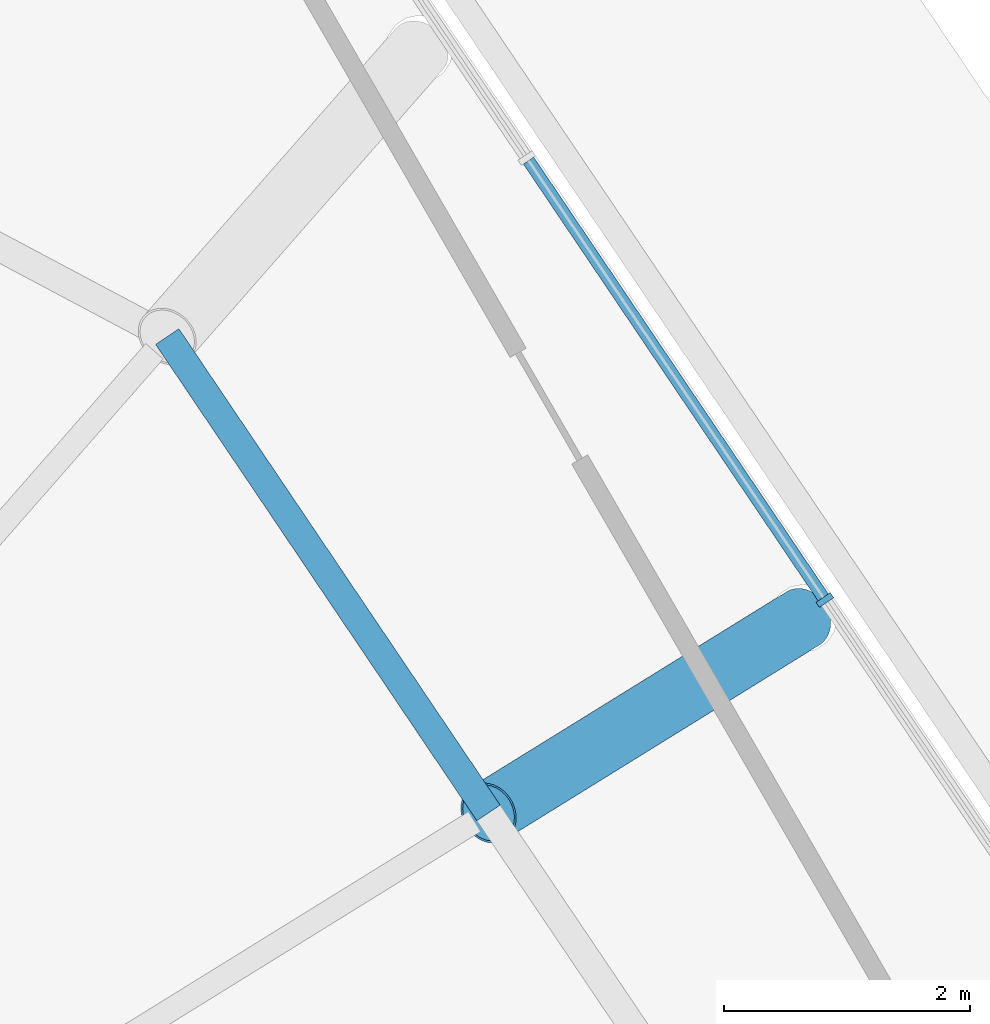
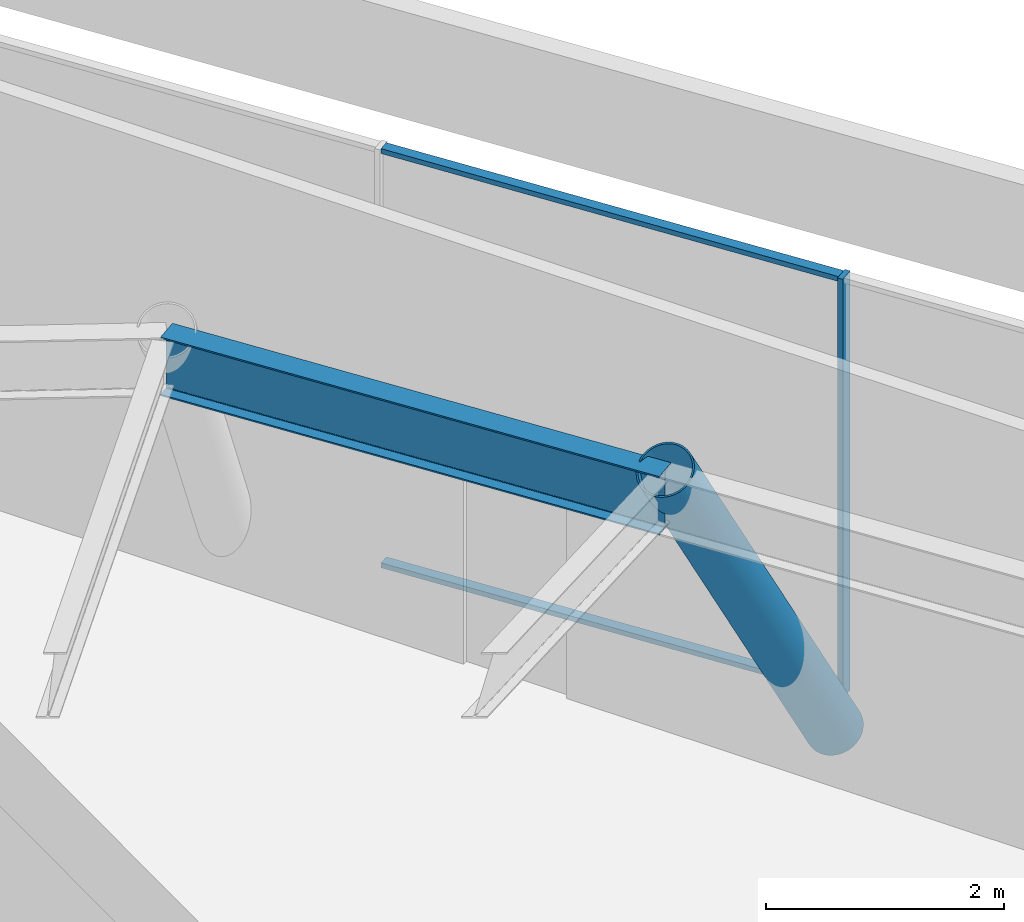
# One storey, part 6 of 12: 4 members, 1 beam, 1 element without a shape of its own.
"""IFC4 building model written with IfcOpenShell, lengths in metres."""

from ifc_helpers import new_model, si_unit, direction, frame, origin, origin_2d, place, context, subcontext, project, spatial, rectangle, hollow_circle, i_section, extrude, material, material_profile, profile_set, type_object, element, aggregate, save


model = new_model("IFC4")

# Units and contexts
model_context = context("Model", 3, precision=1e-05, world=origin(), true_north=direction((0.0, 1.0)))
body_context = subcontext(model_context, "Body", "Model", "MODEL_VIEW")
ifc_project = project(units=[si_unit("LENGTHUNIT", "METRE"), si_unit("AREAUNIT", "SQUARE_METRE"), si_unit("VOLUMEUNIT", "CUBIC_METRE"), si_unit("PLANEANGLEUNIT", "RADIAN"), si_unit("MASSUNIT", "GRAM", prefix="KILO")], contexts=[model_context])

# Site, building, storey
site_placement = place(None, origin())
site = spatial("IfcSite", under=ifc_project, at=site_placement, CompositionType="ELEMENT")
building_placement = place(site_placement, origin())
building = spatial("IfcBuilding", under=site, at=building_placement, Name="Tarnside Tower", CompositionType="ELEMENT")
storey_placement = place(building_placement, frame((0.0, 0.0, 392.699951171875)))
storey = spatial("IfcBuildingStorey", under=building, at=storey_placement, Name="L93", CompositionType="ELEMENT", Elevation=392.699951171875)

# Curtain wall, members
ifc_material_1 = material(Name="Crown glazing wall", Category="glass")
curtain_wall_type = type_object("IfcCurtainWallType", Name="Crown glazing wall", PredefinedType="NOTDEFINED", material=ifc_material_1)
curtain_wall_placement = place(storey_placement, origin())
curtain_wall = element("IfcCurtainWall", 1, at=curtain_wall_placement, inside=storey, type_object=curtain_wall_type, Name="Crown glazing L93 04", PredefinedType="NOTDEFINED")
ifc_material_2 = material(Name="Aluminium alloy 6063", Category="aluminium")
ifc_material_profile_1 = material_profile(ifc_material_2, rectangle(XDim=0.139892578125, YDim=0.050048828125, at=origin_2d()), Name="Crown glazing mullion 50 x 140")
ifc_profile_set_1 = profile_set([ifc_material_profile_1], Name="Aluminium alloy 6063")
member_type_1 = type_object("IfcMemberType", Name="Crown glazing mullion 50 x 140", PredefinedType="MULLION", material=ifc_profile_set_1)
member_1_placement = place(storey_placement, frame((15.8349609375, 9.839599609375, 0.0), z_axis=(0.0, 0.0, 1.0), x_axis=(0.829037572565, 0.559192903456, 0.0)))
member_1 = element("IfcMember", 2, at=member_1_placement, type_object=member_type_1, Name="CW6 mullion 3", PredefinedType="MULLION", context=body_context, shape_type="SweptSolid", body=[
    extrude(rectangle(XDim=0.139892578125, YDim=0.050048828125, at=origin_2d()), origin(), (0.0, 0.0, 1.0), 4.300048828125),
])
ifc_material_profile_2 = material_profile(ifc_material_2, rectangle(XDim=0.10009765625, YDim=0.050048828125, at=origin_2d()), Name="Crown glazing transom 50 x 100")
ifc_profile_set_2 = profile_set([ifc_material_profile_2], Name="Aluminium alloy 6063")
member_type_2 = type_object("IfcMemberType", Name="Crown glazing transom 50 x 100", PredefinedType="USERDEFINED", material=ifc_profile_set_2)
member_2_placement = place(storey_placement, frame((13.428955078125, 13.406494140625, 0.025146484375), z_axis=(0.559222865154, -0.829017362356, 0.0), x_axis=(0.829017362356, 0.559222865154, 0.0)))
member_2 = element("IfcMember", 3, at=member_2_placement, type_object=member_type_2, Name="CW6 transom 2.1", ObjectType="TRANSOM", PredefinedType="USERDEFINED", context=body_context, shape_type="SweptSolid", body=[
    extrude(rectangle(XDim=0.10009765625, YDim=0.050048828125, at=origin_2d()), origin(), (0.0, 0.0, 1.0), 4.277587890625),
])
member_3_placement = place(storey_placement, frame((13.428955078125, 13.406494140625, 4.275146484375), z_axis=(0.559222865154, -0.829017362356, 0.0), x_axis=(0.829017362356, 0.559222865154, 0.0)))
member_3 = element("IfcMember", 4, at=member_3_placement, type_object=member_type_2, Name="CW6 transom 2.2", ObjectType="TRANSOM", PredefinedType="USERDEFINED", context=body_context, shape_type="SweptSolid", body=[
    extrude(rectangle(XDim=0.10009765625, YDim=0.050048828125, at=origin_2d()), origin(), (0.0, 0.0, 1.0), 4.277587890625),
])
aggregate(curtain_wall, [member_1, member_2, member_3])

# Beam
ifc_material_3 = material(Name="Steel S355", Category="steel")
ifc_material_profile_3 = material_profile(ifc_material_3, i_section(OverallWidth=0.2275390625, OverallDepth=0.6025390625, WebThickness=0.010498046875, FlangeThickness=0.014892578125, FilletRadius=0.0126953125, at=origin_2d()), Name="UB 610x229x101")
ifc_profile_set_3 = profile_set([ifc_material_profile_3], Name="Steel S355")
beam_type = type_object("IfcBeamType", Name="Floor beam UB 610x229x101", PredefinedType="BEAM", material=ifc_profile_set_3)
beam_placement = place(storey_placement, frame((13.1044921875, 8.111328125, 3.998779296875), z_axis=(-0.559186017697, 0.829042217026, 0.0), x_axis=(-0.829042217026, -0.559186017697, 0.0)))
element("IfcBeam", 5, at=beam_placement, inside=storey, type_object=beam_type, Name="Floor beam R17", PredefinedType="BEAM", context=body_context, shape_type="SweptSolid", body=[
    extrude(i_section(OverallWidth=0.2275390625, OverallDepth=0.6025390625, WebThickness=0.010498046875, FlangeThickness=0.014892578125, FilletRadius=0.0126953125, at=origin_2d()), origin(), (0.0, 0.0, 1.0), 4.663818359375),
])

# Member
ifc_material_profile_4 = material_profile(ifc_material_3, hollow_circle(Radius=0.25390625, WallThickness=0.01611328125, at=origin_2d()), Name="CHS 508x16")
ifc_profile_set_4 = profile_set([ifc_material_profile_4], Name="Steel S355")
member_type_3 = type_object("IfcMemberType", Name="Truss diagonal CHS 508x16", PredefinedType="BRACE", material=ifc_profile_set_4)
member_4_placement = place(storey_placement, frame((15.657470703125, 9.69140625, -0.199951171875), z_axis=(-0.471930175442, -0.292084928322, 0.831846322439), x_axis=(0.526273430096, -0.850315398411, 0.0)))
element("IfcMember", 6, at=member_4_placement, inside=storey, type_object=member_type_3, Name="Crown leg L93 17", PredefinedType="BRACE", context=body_context, shape_type="SweptSolid", body=[
    extrude(hollow_circle(Radius=0.25390625, WallThickness=0.01611328125, at=origin_2d()), origin(), (0.0, 0.0, 1.0), 5.40966796875),
])

save(model, "model.ifc")
